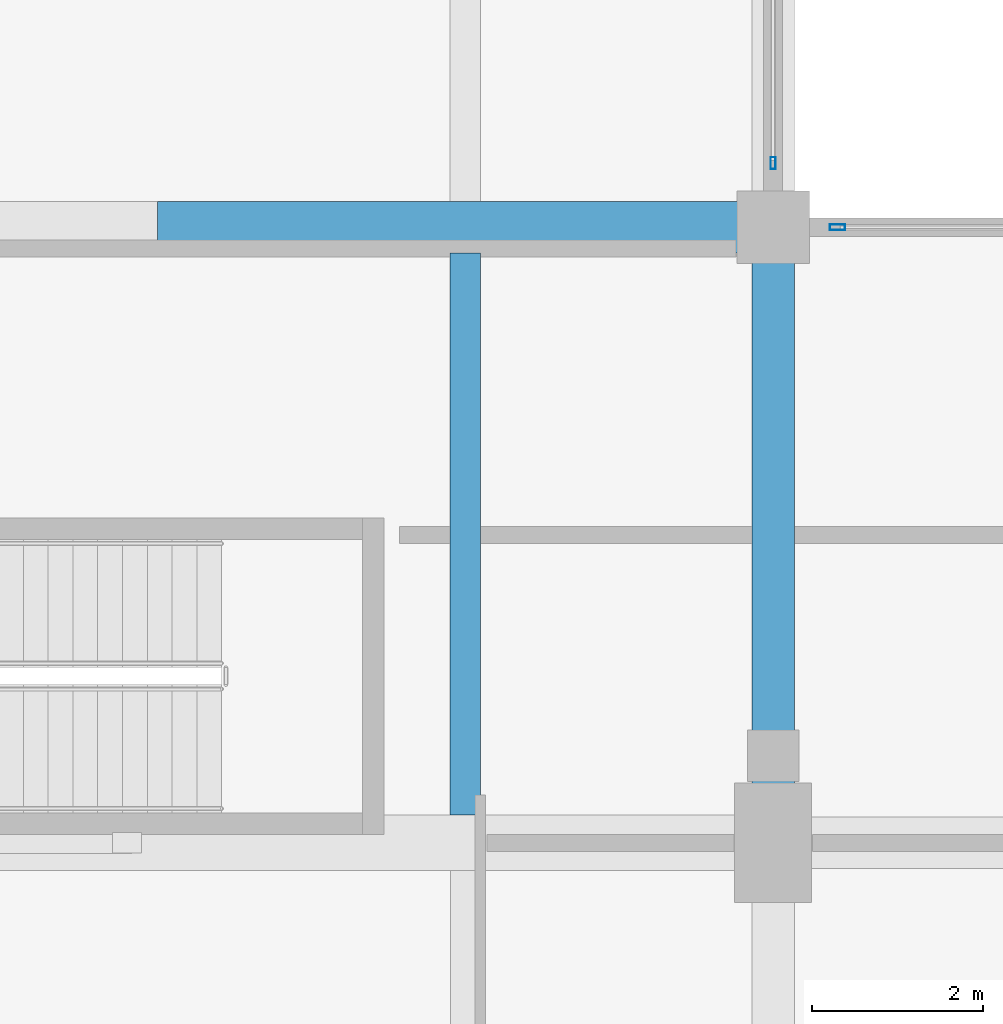
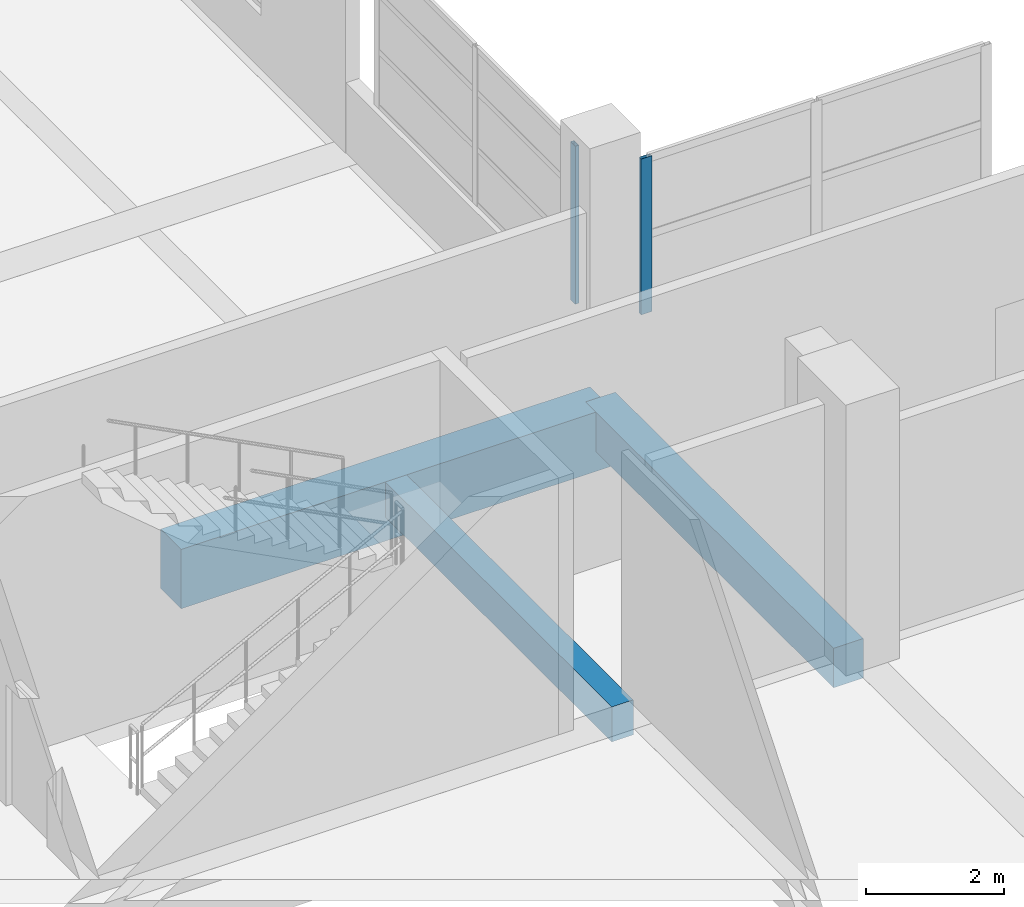
# One storey, part 67 of 181: 3 beams, 2 members, 2 elements without a shape of their own.
"""IFC4 building model written with IfcOpenShell, lengths in metres."""

from ifc_helpers import new_model, si_unit, direction, frame, origin, origin_2d, place, context, subcontext, project, spatial, rectangle, hollow_rectangle, extrude, material, layer, layer_set, material_profile, profile_set, type_object, element, aggregate, save


model = new_model("IFC4")

# Units and contexts
model_context = context("Model", 3, precision=1e-05, world=origin(), true_north=direction((0.0, 1.0)))
body_context = subcontext(model_context, "Body", "Model", "MODEL_VIEW")
ifc_project = project(units=[si_unit("LENGTHUNIT", "METRE"), si_unit("AREAUNIT", "SQUARE_METRE"), si_unit("VOLUMEUNIT", "CUBIC_METRE"), si_unit("PLANEANGLEUNIT", "RADIAN"), si_unit("MASSUNIT", "GRAM", prefix="KILO")], contexts=[model_context])

# Site, building, storey
site_placement = place(None, origin())
site = spatial("IfcSite", under=ifc_project, at=site_placement, CompositionType="ELEMENT")
building_placement = place(site_placement, origin())
building = spatial("IfcBuilding", under=site, at=building_placement, Name="Seraya Terrace Polytechnic", CompositionType="ELEMENT")
storey_placement = place(building_placement, frame((0.0, 0.0, 4.800048828125)))
storey = spatial("IfcBuildingStorey", under=building, at=storey_placement, Name="L01", CompositionType="ELEMENT", Elevation=4.800048828125)

# Beams
ifc_material_1 = material(Name="Concrete C40/50", Category="concrete")
ifc_material_profile_1 = material_profile(ifc_material_1, rectangle(XDim=0.60009765625, YDim=1.050048828125, at=origin_2d()), Name="RC 600x1050")
ifc_profile_set_1 = profile_set([ifc_material_profile_1], Name="Concrete C40/50")
beam_type_1 = type_object("IfcBeamType", Name="BM-01", PredefinedType="BEAM", material=ifc_profile_set_1)
beam_1_placement = place(storey_placement, frame((21.60009765625, 86.39990234375, -0.525146484375), z_axis=(1.0, 0.0, 0.0), x_axis=(0.0, 1.0, 0.0)))
element("IfcBeam", 1, at=beam_1_placement, inside=storey, type_object=beam_type_1, Name="Beam BM-01 L01 X (21.6..28.8, 86.4)", PredefinedType="BEAM", context=body_context, shape_type="SweptSolid", body=[
    extrude(rectangle(XDim=0.60009765625, YDim=1.050048828125, at=origin_2d()), origin(), (0.0, 0.0, 1.0), 7.199951171875),
])
ifc_material_profile_2 = material_profile(ifc_material_1, rectangle(XDim=0.5, YDim=0.699951171875, at=origin_2d()), Name="RC 500x700")
ifc_profile_set_2 = profile_set([ifc_material_profile_2], Name="Concrete C40/50")
beam_type_2 = type_object("IfcBeamType", Name="BM-07", PredefinedType="BEAM", material=ifc_profile_set_2)
beam_2_placement = place(storey_placement, frame((28.800048828125, 79.199951171875, -0.35009765625), z_axis=(0.0, 1.0, 0.0), x_axis=(-1.0, 0.0, 0.0)))
element("IfcBeam", 2, at=beam_2_placement, inside=storey, type_object=beam_type_2, Name="Beam BM-07 L01 Y (28.8, 79.2..86.4)", PredefinedType="BEAM", context=body_context, shape_type="SweptSolid", body=[
    extrude(rectangle(XDim=0.5, YDim=0.699951171875, at=origin_2d()), origin(), (0.0, 0.0, 1.0), 7.199951171875),
])

# Curtain wall, member
ifc_material_2 = material(Name="Anodised aluminium EN AW-6063 T6", Category="aluminium")
ifc_layer_1 = layer(ifc_material_2, 0.179931640625, Name="CW-10")
ifc_layer_set_1 = layer_set([ifc_layer_1], Name="Anodised aluminium EN AW-6063 T6")
curtain_wall_type_1 = type_object("IfcCurtainWallType", Name="CW-10", PredefinedType="NOTDEFINED", material=ifc_layer_set_1)
curtain_wall_1_placement = place(storey_placement, origin())
curtain_wall_1 = element("IfcCurtainWall", 3, at=curtain_wall_1_placement, inside=storey, type_object=curtain_wall_type_1, Name="Unitised curtain wall CW-10 (CW-L01-010)", PredefinedType="NOTDEFINED")
ifc_material_profile_3 = material_profile(ifc_material_2, hollow_rectangle(XDim=0.06494140625, YDim=0.179931640625, WallThickness=0.00390625, at=origin_2d()), Name="RHS 180x65x4.0")
ifc_profile_set_3 = profile_set([ifc_material_profile_3], Name="Anodised aluminium EN AW-6063 T6")
member_type_1 = type_object("IfcMemberType", Name="CWM-01", PredefinedType="MULLION", material=ifc_profile_set_3)
member_1_placement = place(storey_placement, frame((29.552490234375, 86.39990234375, 1.239990234375), z_axis=(0.0, 0.0, 1.0), x_axis=(0.0, 1.0, 0.0)))
member_1 = element("IfcMember", 4, at=member_1_placement, type_object=member_type_1, Name="CW-10 mullion 1", PredefinedType="MULLION", context=body_context, shape_type="SweptSolid", body=[
    extrude(hollow_rectangle(XDim=0.06494140625, YDim=0.179931640625, WallThickness=0.00390625, at=origin_2d()), origin(), (0.0, 0.0, 1.0), 2.760009765625),
])
aggregate(curtain_wall_1, [member_1])

ifc_layer_2 = layer(ifc_material_2, 0.179931640625, Name="CW-09")
ifc_layer_set_2 = layer_set([ifc_layer_2], Name="Anodised aluminium EN AW-6063 T6")
curtain_wall_type_2 = type_object("IfcCurtainWallType", Name="CW-09", PredefinedType="NOTDEFINED", material=ifc_layer_set_2)
curtain_wall_2_placement = place(storey_placement, origin())
curtain_wall_2 = element("IfcCurtainWall", 5, at=curtain_wall_2_placement, inside=storey, type_object=curtain_wall_type_2, Name="Unitised curtain wall CW-09 (CW-L01-009)", PredefinedType="NOTDEFINED")
ifc_material_profile_4 = material_profile(ifc_material_2, hollow_rectangle(XDim=0.06005859375, YDim=0.139892578125, WallThickness=0.00341796875, at=origin_2d()), Name="RHS 140x60x3.5")
ifc_profile_set_4 = profile_set([ifc_material_profile_4], Name="Anodised aluminium EN AW-6063 T6")
member_type_2 = type_object("IfcMemberType", Name="CWM-03", PredefinedType="MULLION", material=ifc_profile_set_4)
member_2_placement = place(storey_placement, frame((28.800048828125, 87.14990234375, 1.239990234375), z_axis=(0.0, 0.0, 1.0), x_axis=(1.0, 0.0, 0.0)))
member_2 = element("IfcMember", 6, at=member_2_placement, type_object=member_type_2, Name="CW-09 mullion 3", PredefinedType="MULLION", context=body_context, shape_type="SweptSolid", body=[
    extrude(hollow_rectangle(XDim=0.06005859375, YDim=0.139892578125, WallThickness=0.00341796875, at=origin_2d()), origin(), (0.0, 0.0, 1.0), 2.800048828125),
])
aggregate(curtain_wall_2, [member_2])

# Beam
ifc_material_profile_5 = material_profile(ifc_material_1, rectangle(XDim=0.360107421875, YDim=0.6201171875, at=origin_2d()), Name="RC 360x620")
ifc_profile_set_5 = profile_set([ifc_material_profile_5], Name="Concrete C40/50")
beam_type_3 = type_object("IfcBeamType", Name="JS-01", PredefinedType="JOIST", material=ifc_profile_set_5)
beam_3_placement = place(storey_placement, frame((25.199951171875, 79.52490234375, -0.31005859375), z_axis=(0.0, 1.0, 0.0), x_axis=(-1.0, 0.0, 0.0)))
element("IfcBeam", 7, at=beam_3_placement, inside=storey, type_object=beam_type_3, Name="Secondary joist JS-01 L01", PredefinedType="JOIST", context=body_context, shape_type="SweptSolid", body=[
    extrude(rectangle(XDim=0.360107421875, YDim=0.6201171875, at=origin_2d()), origin(), (0.0, 0.0, 1.0), 6.5751953125),
])

save(model, "model.ifc")
